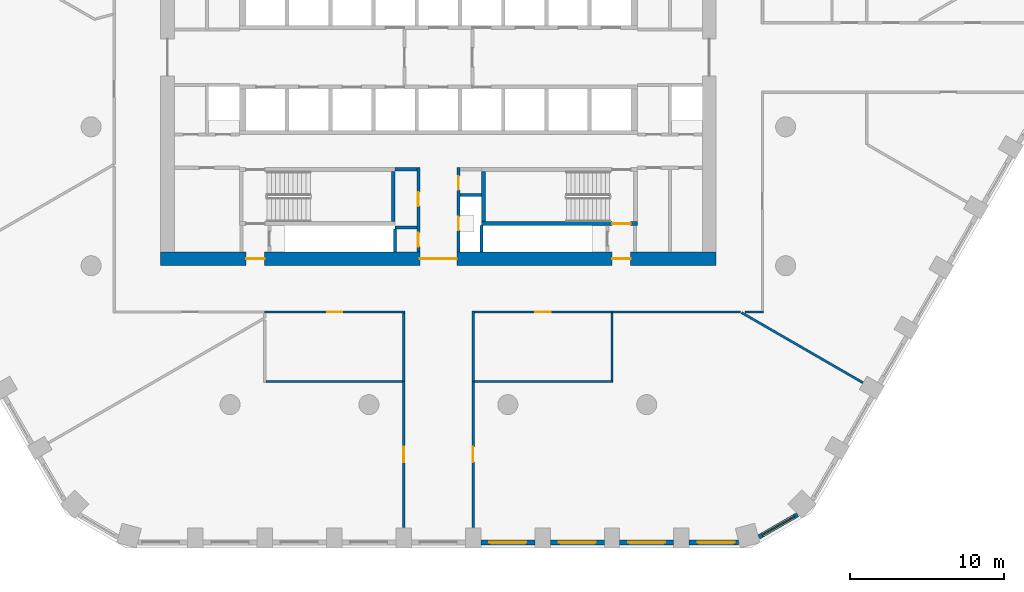
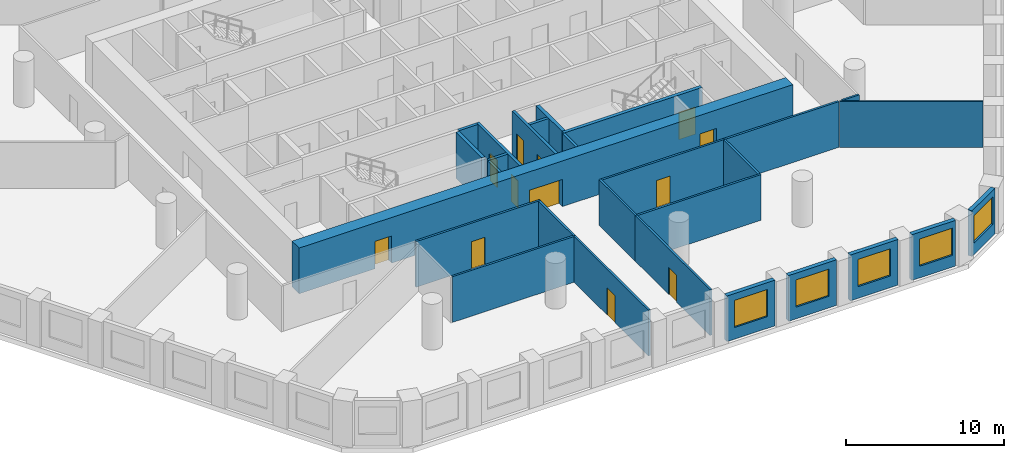
# One storey, part 3 of 10: 28 walls, 12 doors, 5 windows, 17 openings.
"""IFC4 building model written with IfcOpenShell, lengths in metres."""

from ifc_helpers import new_model, si_unit, direction, frame, frame_2d, origin, place, context, subcontext, project, spatial, rectangle, extrude, material, layer, layer_set, type_object, element, fill, save


model = new_model("IFC4")

# Units and contexts
model_context = context("Model", 3, precision=1e-05, world=origin(), true_north=direction((0.0, 1.0)))
body_context = subcontext(model_context, "Body", "Model", "MODEL_VIEW")
ifc_project = project(units=[si_unit("LENGTHUNIT", "METRE"), si_unit("AREAUNIT", "SQUARE_METRE"), si_unit("VOLUMEUNIT", "CUBIC_METRE"), si_unit("PLANEANGLEUNIT", "RADIAN"), si_unit("MASSUNIT", "GRAM", prefix="KILO")], contexts=[model_context])

# Site, building, storey
site_placement = place(None, origin())
site = spatial("IfcSite", under=ifc_project, at=site_placement, CompositionType="ELEMENT")
building_placement = place(site_placement, origin())
building = spatial("IfcBuilding", under=site, at=building_placement, Name="Dhurran Vertical Campus", CompositionType="ELEMENT")
storey_placement = place(building_placement, frame((0.0, 0.0, 85.199951171875)))
storey = spatial("IfcBuildingStorey", under=building, at=storey_placement, Name="L20", CompositionType="ELEMENT", Elevation=85.199951171875)

# Wall, opening, window
ifc_material_1 = material(Name="Precast concrete C50/60", Category="concrete")
ifc_layer_1 = layer(ifc_material_1, 0.300048828125)
ifc_layer_set_1 = layer_set([ifc_layer_1], Name="Precast concrete C50/60")
wall_type_1 = type_object("IfcWallType", Name="Precast spandrel wall 300", PredefinedType="SOLIDWALL", material=ifc_layer_set_1)
wall_1_placement = place(storey_placement, frame((2.75048828125, -31.4296875, 0.0), z_axis=(0.0, 0.0, 1.0), x_axis=(1.0, 0.0, 0.0)))
wall_1 = element("IfcWall", 1, at=wall_1_placement, inside=storey, type_object=wall_type_1, Name="EW1 L20.05", PredefinedType="SOLIDWALL", context=body_context, shape_type="SweptSolid", body=[
    extrude(rectangle(XDim=3.4990234375, YDim=0.300048828125, at=frame_2d((1.74951171875, 0.0))), origin(), (0.0, 0.0, 1.0), 3.525146484375),
])
opening_1_placement = place(wall_1_placement, frame((0.549560546875, 0.0, 0.89990234375)))
opening_1 = element("IfcOpeningElement", 2, at=opening_1_placement, cuts=wall_1, Name="Opening WT1", PredefinedType="OPENING", context=body_context, shape_type="SweptSolid", body=[
    extrude(rectangle(XDim=2.39990234375, YDim=2.10009765625, at=frame_2d((1.199951171875, 1.050048828125))), frame((0.0, 0.159912109375, 0.0), z_axis=(0.0, -1.0, 0.0), x_axis=(1.0, 0.0, 0.0)), (0.0, 0.0, 1.0), 0.320068359375),
])
ifc_material_2 = material(Name="Aluminium frame with solar-control glass", Category="aluminium")
window_type = type_object("IfcWindowType", Name="Punched window 2400 x 2100", PartitioningType="SINGLE_PANEL", PredefinedType="WINDOW", material=ifc_material_2)
window_1_placement = place(opening_1_placement, origin())
window_1 = element("IfcWindow", 3, at=window_1_placement, inside=storey, type_object=window_type, Name="WT1 L20.05", OverallHeight=2.10009765625, OverallWidth=2.39990234375, PartitioningType="SINGLE_PANEL", PredefinedType="WINDOW", context=body_context, shape_type="SweptSolid", body=[
    extrude(rectangle(XDim=2.39990234375, YDim=2.10009765625, at=frame_2d((1.199951171875, 1.050048828125))), frame((0.0, 0.030029296875, 0.0), z_axis=(0.0, -1.0, 0.0), x_axis=(1.0, 0.0, 0.0)), (0.0, 0.0, 1.0), 0.06005859375),
])
fill(opening_1, window_1)

wall_2_placement = place(storey_placement, frame((7.25048828125, -31.4296875, 0.0), z_axis=(0.0, 0.0, 1.0), x_axis=(1.0, 0.0, 0.0)))
wall_2 = element("IfcWall", 4, at=wall_2_placement, inside=storey, type_object=wall_type_1, Name="EW1 L20.06", PredefinedType="SOLIDWALL", context=body_context, shape_type="SweptSolid", body=[
    extrude(rectangle(XDim=3.4990234375, YDim=0.300048828125, at=frame_2d((1.74951171875, 0.0))), origin(), (0.0, 0.0, 1.0), 3.525146484375),
])
opening_2_placement = place(wall_2_placement, frame((0.549560546875, 0.0, 0.89990234375)))
opening_2 = element("IfcOpeningElement", 5, at=opening_2_placement, cuts=wall_2, Name="Opening WT1", PredefinedType="OPENING", context=body_context, shape_type="SweptSolid", body=[
    extrude(rectangle(XDim=2.39990234375, YDim=2.10009765625, at=frame_2d((1.199951171875, 1.050048828125))), frame((0.0, 0.159912109375, 0.0), z_axis=(0.0, -1.0, 0.0), x_axis=(1.0, 0.0, 0.0)), (0.0, 0.0, 1.0), 0.320068359375),
])
window_2_placement = place(opening_2_placement, origin())
window_2 = element("IfcWindow", 6, at=window_2_placement, inside=storey, type_object=window_type, Name="WT1 L20.06", OverallHeight=2.10009765625, OverallWidth=2.39990234375, PartitioningType="SINGLE_PANEL", PredefinedType="WINDOW", context=body_context, shape_type="SweptSolid", body=[
    extrude(rectangle(XDim=2.39990234375, YDim=2.10009765625, at=frame_2d((1.199951171875, 1.050048828125))), frame((0.0, 0.030029296875, 0.0), z_axis=(0.0, -1.0, 0.0), x_axis=(1.0, 0.0, 0.0)), (0.0, 0.0, 1.0), 0.06005859375),
])
fill(opening_2, window_2)

wall_3_placement = place(storey_placement, frame((11.75048828125, -31.4296875, 0.0), z_axis=(0.0, 0.0, 1.0), x_axis=(1.0, 0.0, 0.0)))
wall_3 = element("IfcWall", 7, at=wall_3_placement, inside=storey, type_object=wall_type_1, Name="EW1 L20.07", PredefinedType="SOLIDWALL", context=body_context, shape_type="SweptSolid", body=[
    extrude(rectangle(XDim=3.4990234375, YDim=0.300048828125, at=frame_2d((1.74951171875, 0.0))), origin(), (0.0, 0.0, 1.0), 3.525146484375),
])
opening_3_placement = place(wall_3_placement, frame((0.549560546875, 0.0, 0.89990234375)))
opening_3 = element("IfcOpeningElement", 8, at=opening_3_placement, cuts=wall_3, Name="Opening WT1", PredefinedType="OPENING", context=body_context, shape_type="SweptSolid", body=[
    extrude(rectangle(XDim=2.39990234375, YDim=2.10009765625, at=frame_2d((1.199951171875, 1.050048828125))), frame((0.0, 0.159912109375, 0.0), z_axis=(0.0, -1.0, 0.0), x_axis=(1.0, 0.0, 0.0)), (0.0, 0.0, 1.0), 0.320068359375),
])
window_3_placement = place(opening_3_placement, origin())
window_3 = element("IfcWindow", 9, at=window_3_placement, inside=storey, type_object=window_type, Name="WT1 L20.07", OverallHeight=2.10009765625, OverallWidth=2.39990234375, PartitioningType="SINGLE_PANEL", PredefinedType="WINDOW", context=body_context, shape_type="SweptSolid", body=[
    extrude(rectangle(XDim=2.39990234375, YDim=2.10009765625, at=frame_2d((1.199951171875, 1.050048828125))), frame((0.0, 0.030029296875, 0.0), z_axis=(0.0, -1.0, 0.0), x_axis=(1.0, 0.0, 0.0)), (0.0, 0.0, 1.0), 0.06005859375),
])
fill(opening_3, window_3)

wall_4_placement = place(storey_placement, frame((16.25048828125, -31.4296875, 0.0), z_axis=(0.0, 0.0, 1.0), x_axis=(1.0, 0.0, 0.0)))
wall_4 = element("IfcWall", 10, at=wall_4_placement, inside=storey, type_object=wall_type_1, Name="EW1 L20.08", PredefinedType="SOLIDWALL", context=body_context, shape_type="SweptSolid", body=[
    extrude(rectangle(XDim=3.1923828125, YDim=0.300048828125, at=frame_2d((1.59619140625, 0.0))), origin(), (0.0, 0.0, 1.0), 3.525146484375),
])
opening_4_placement = place(wall_4_placement, frame((0.549560546875, 0.0, 0.89990234375)))
opening_4 = element("IfcOpeningElement", 11, at=opening_4_placement, cuts=wall_4, Name="Opening WT1", PredefinedType="OPENING", context=body_context, shape_type="SweptSolid", body=[
    extrude(rectangle(XDim=2.39990234375, YDim=2.10009765625, at=frame_2d((1.199951171875, 1.050048828125))), frame((0.0, 0.159912109375, 0.0), z_axis=(0.0, -1.0, 0.0), x_axis=(1.0, 0.0, 0.0)), (0.0, 0.0, 1.0), 0.320068359375),
])
window_4_placement = place(opening_4_placement, origin())
window_4 = element("IfcWindow", 12, at=window_4_placement, inside=storey, type_object=window_type, Name="WT1 L20.08", OverallHeight=2.10009765625, OverallWidth=2.39990234375, PartitioningType="SINGLE_PANEL", PredefinedType="WINDOW", context=body_context, shape_type="SweptSolid", body=[
    extrude(rectangle(XDim=2.39990234375, YDim=2.10009765625, at=frame_2d((1.199951171875, 1.050048828125))), frame((0.0, 0.030029296875, 0.0), z_axis=(0.0, -1.0, 0.0), x_axis=(1.0, 0.0, 0.0)), (0.0, 0.0, 1.0), 0.06005859375),
])
fill(opening_4, window_4)

wall_5_placement = place(storey_placement, frame((20.774169921875, -31.072998046875, 0.0), z_axis=(0.0, 0.0, 1.0), x_axis=(0.866053149362, 0.49995194017, 0.0)))
wall_5 = element("IfcWall", 13, at=wall_5_placement, inside=storey, type_object=wall_type_1, Name="EW1 L20.09", PredefinedType="SOLIDWALL", context=body_context, shape_type="SweptSolid", body=[
    extrude(rectangle(XDim=2.885498046875, YDim=0.300048828125, at=frame_2d((1.44287109375, 0.0))), origin(), (0.0, 0.0, 1.0), 3.525146484375),
])
opening_5_placement = place(wall_5_placement, frame((0.242919921875, 0.0, 0.89990234375)))
opening_5 = element("IfcOpeningElement", 14, at=opening_5_placement, cuts=wall_5, Name="Opening WT1", PredefinedType="OPENING", context=body_context, shape_type="SweptSolid", body=[
    extrude(rectangle(XDim=2.39990234375, YDim=2.10009765625, at=frame_2d((1.199951171875, 1.050048828125))), frame((0.0, 0.159912109375, 0.0), z_axis=(0.0, -1.0, 0.0), x_axis=(1.0, 0.0, 0.0)), (0.0, 0.0, 1.0), 0.320068359375),
])
window_5_placement = place(opening_5_placement, origin())
window_5 = element("IfcWindow", 15, at=window_5_placement, inside=storey, type_object=window_type, Name="WT1 L20.09", OverallHeight=2.10009765625, OverallWidth=2.39990234375, PartitioningType="SINGLE_PANEL", PredefinedType="WINDOW", context=body_context, shape_type="SweptSolid", body=[
    extrude(rectangle(XDim=2.39990234375, YDim=2.10009765625, at=frame_2d((1.199951171875, 1.050048828125))), frame((0.0, 0.030029296875, 0.0), z_axis=(0.0, -1.0, 0.0), x_axis=(1.0, 0.0, 0.0)), (0.0, 0.0, 1.0), 0.06005859375),
])
fill(opening_5, window_5)

# Wall, openings, doors
ifc_material_3 = material(Name="Concrete C60/75", Category="concrete")
ifc_layer_2 = layer(ifc_material_3, 0.89990234375)
ifc_layer_set_2 = layer_set([ifc_layer_2], Name="Concrete C60/75")
wall_type_2 = type_object("IfcWallType", Name="co-CORE-WALL-C0-900", PredefinedType="SHEAR", material=ifc_layer_set_2)
wall_6_placement = place(storey_placement, frame((-18.0, -13.050048828125, 0.0), z_axis=(0.0, 0.0, 1.0), x_axis=(1.0, 0.0, 0.0)))
wall_6 = element("IfcWall", 16, at=wall_6_placement, inside=storey, type_object=wall_type_2, Name="Core wall S L20", PredefinedType="SHEAR", context=body_context, shape_type="SweptSolid", body=[
    extrude(rectangle(XDim=36.0, YDim=0.89990234375, at=frame_2d((18.0, 0.0))), origin(), (0.0, 0.0, 1.0), 3.525146484375),
])
opening_6_placement = place(wall_6_placement, frame((16.800048828125, 0.0, 0.0)))
opening_6 = element("IfcOpeningElement", 17, at=opening_6_placement, cuts=wall_6, Name="Opening CV2", PredefinedType="OPENING", context=body_context, shape_type="SweptSolid", body=[
    extrude(rectangle(XDim=2.39990234375, YDim=2.10009765625, at=frame_2d((1.199951171875, 1.050048828125))), frame((0.0, 0.4599609375, 0.0), z_axis=(0.0, -1.0, 0.0), x_axis=(1.0, 0.0, 0.0)), (0.0, 0.0, 1.0), 0.919921875),
])
opening_7_placement = place(wall_6_placement, frame((5.550048828125, 0.0, 0.0)))
opening_7 = element("IfcOpeningElement", 18, at=opening_7_placement, cuts=wall_6, Name="Opening XD3", PredefinedType="OPENING", context=body_context, shape_type="SweptSolid", body=[
    extrude(rectangle(XDim=1.199951171875, YDim=2.10009765625, at=frame_2d((0.60009765625, 1.050048828125))), frame((0.0, 0.4599609375, 0.0), z_axis=(0.0, -1.0, 0.0), x_axis=(1.0, 0.0, 0.0)), (0.0, 0.0, 1.0), 0.919921875),
])
opening_8_placement = place(wall_6_placement, frame((29.25, 0.0, 0.0)))
opening_8 = element("IfcOpeningElement", 19, at=opening_8_placement, cuts=wall_6, Name="Opening XD4", PredefinedType="OPENING", context=body_context, shape_type="SweptSolid", body=[
    extrude(rectangle(XDim=1.199951171875, YDim=2.10009765625, at=frame_2d((0.60009765625, 1.050048828125))), frame((0.0, 0.4599609375, 0.0), z_axis=(0.0, -1.0, 0.0), x_axis=(1.0, 0.0, 0.0)), (0.0, 0.0, 1.0), 0.919921875),
])
ifc_material_4 = material(Name="Fire-rated glazed door set")
door_type_1 = type_object("IfcDoorType", Name="co-D-LOBBY 2400x2100", OperationType="DOUBLE_DOOR_DOUBLE_SWING", PredefinedType="DOOR", material=ifc_material_4)
door_1_placement = place(opening_6_placement, origin())
door_1 = element("IfcDoor", 20, at=door_1_placement, inside=storey, type_object=door_type_1, Name="Core vestibule door S L20", OperationType="DOUBLE_DOOR_DOUBLE_SWING", OverallHeight=2.10009765625, OverallWidth=2.39990234375, PredefinedType="DOOR", context=body_context, shape_type="SweptSolid", body=[
    extrude(rectangle(XDim=2.39990234375, YDim=2.10009765625, at=frame_2d((1.199951171875, 1.050048828125))), frame((0.0, 0.02490234375, 0.0), z_axis=(0.0, -1.0, 0.0), x_axis=(1.0, 0.0, 0.0)), (0.0, 0.0, 1.0), 0.050048828125),
])
fill(opening_6, door_1)
ifc_material_5 = material(Name="Fire-rated steel door set", Category="steel")
door_type_2 = type_object("IfcDoorType", Name="co-D-STAIR-EXIT 1200x2100", OperationType="SINGLE_SWING_RIGHT", PredefinedType="DOOR", material=ifc_material_5)
door_2_placement = place(opening_7_placement, origin())
door_2 = element("IfcDoor", 21, at=door_2_placement, inside=storey, type_object=door_type_2, Name="Stair ST3 exit door L20", OperationType="SINGLE_SWING_RIGHT", OverallHeight=2.10009765625, OverallWidth=1.199951171875, PredefinedType="DOOR", context=body_context, shape_type="SweptSolid", body=[
    extrude(rectangle(XDim=1.199951171875, YDim=2.10009765625, at=frame_2d((0.60009765625, 1.050048828125))), frame((0.0, 0.02490234375, 0.0), z_axis=(0.0, -1.0, 0.0), x_axis=(1.0, 0.0, 0.0)), (0.0, 0.0, 1.0), 0.050048828125),
])
fill(opening_7, door_2)
door_3_placement = place(opening_8_placement, origin())
door_3 = element("IfcDoor", 22, at=door_3_placement, inside=storey, type_object=door_type_2, Name="Stair ST4 exit door L20", OperationType="SINGLE_SWING_RIGHT", OverallHeight=2.10009765625, OverallWidth=1.199951171875, PredefinedType="DOOR", context=body_context, shape_type="SweptSolid", body=[
    extrude(rectangle(XDim=1.199951171875, YDim=2.10009765625, at=frame_2d((0.60009765625, 1.050048828125))), frame((0.0, 0.02490234375, 0.0), z_axis=(0.0, -1.0, 0.0), x_axis=(1.0, 0.0, 0.0)), (0.0, 0.0, 1.0), 0.050048828125),
])
fill(opening_8, door_3)

# Walls
ifc_material_6 = material(Name="Fire-rated masonry blockwork", Category="masonry")
ifc_layer_3 = layer(ifc_material_6, 0.199951171875)
ifc_layer_set_3 = layer_set([ifc_layer_3], Name="Fire-rated masonry blockwork")
wall_type_3 = type_object("IfcWallType", Name="co-FIRE-PARTITION-200", PredefinedType="PARTITIONING", material=ifc_layer_set_3)
for number, where, z_axis, x_axis, name in (
    (23, (-2.800048828125, -7.25, 0.0), (0.0, 0.0, 1.0), (1.0, 0.0, 0.0), "Core partition sl-SW-S L20"),
    (24, (-2.800048828125, -11.02490234375, 0.0), (0.0, 0.0, 1.0), (1.0, 0.0, 0.0), "Core partition sl-SW-cut0 L20"),
    (25, (1.39990234375, -8.925048828125, 0.0), (0.0, 0.0, 1.0), (1.0, 0.0, 0.0), "Core partition sl-SE-cut0 L20"),
):
    element("IfcWall", number, at=place(storey_placement, frame(where, z_axis=z_axis, x_axis=x_axis)), inside=storey, type_object=wall_type_3, Name=name, PredefinedType="PARTITIONING", context=body_context, shape_type="SweptSolid", body=[
        extrude(rectangle(XDim=1.400146484375, YDim=0.199951171875, at=frame_2d((0.7001953125, 0.0))), origin(), (0.0, 0.0, 1.0), 3.525146484375),
    ])

# Wall, openings, doors
wall_7_placement = place(storey_placement, frame((-1.300048828125, -12.60009765625, 0.0), z_axis=(0.0, 0.0, 1.0), x_axis=(0.0, 1.0, 0.0)))
wall_7 = element("IfcWall", 26, at=wall_7_placement, inside=storey, type_object=wall_type_3, Name="Core partition vest-SW L20", PredefinedType="PARTITIONING", context=body_context, shape_type="SweptSolid", body=[
    extrude(rectangle(XDim=5.4501953125, YDim=0.199951171875, at=frame_2d((2.72509765625, 0.0))), origin(), (0.0, 0.0, 1.0), 3.525146484375),
])
opening_9_placement = place(wall_7_placement, frame((0.33740234375, 0.0, 0.0)))
opening_9 = element("IfcOpeningElement", 27, at=opening_9_placement, cuts=wall_7, Name="Opening T05-C1", PredefinedType="OPENING", context=body_context, shape_type="SweptSolid", body=[
    extrude(rectangle(XDim=0.89990234375, YDim=2.10009765625, at=frame_2d((0.449951171875, 1.050048828125))), frame((0.0, 0.10986328125, 0.0), z_axis=(0.0, -1.0, 0.0), x_axis=(1.0, 0.0, 0.0)), (0.0, 0.0, 1.0), 0.219970703125),
])
opening_10_placement = place(wall_7_placement, frame((2.96240234375, 0.0, 0.0)))
opening_10 = element("IfcOpeningElement", 28, at=opening_10_placement, cuts=wall_7, Name="Opening T05-C2", PredefinedType="OPENING", context=body_context, shape_type="SweptSolid", body=[
    extrude(rectangle(XDim=0.89990234375, YDim=2.10009765625, at=frame_2d((0.449951171875, 1.050048828125))), frame((0.0, 0.10986328125, 0.0), z_axis=(0.0, -1.0, 0.0), x_axis=(1.0, 0.0, 0.0)), (0.0, 0.0, 1.0), 0.219970703125),
])
ifc_material_7 = material(Name="Fire-rated timber door set", Category="wood")
door_type_3 = type_object("IfcDoorType", Name="co-D-ROOM 900x2100", OperationType="SINGLE_SWING_LEFT", PredefinedType="DOOR", material=ifc_material_7)
door_4_placement = place(opening_9_placement, origin())
door_4 = element("IfcDoor", 29, at=door_4_placement, inside=storey, type_object=door_type_3, Name="Fire equipment store door L20", OperationType="SINGLE_SWING_LEFT", OverallHeight=2.10009765625, OverallWidth=0.89990234375, PredefinedType="DOOR", context=body_context, shape_type="SweptSolid", body=[
    extrude(rectangle(XDim=0.89990234375, YDim=2.10009765625, at=frame_2d((0.449951171875, 1.050048828125))), frame((0.0, 0.02490234375, 0.0), z_axis=(0.0, -1.0, 0.0), x_axis=(1.0, 0.0, 0.0)), (0.0, 0.0, 1.0), 0.050048828125),
])
fill(opening_9, door_4)
door_5_placement = place(opening_10_placement, origin())
door_5 = element("IfcDoor", 30, at=door_5_placement, inside=storey, type_object=door_type_3, Name="Server room door L20", OperationType="SINGLE_SWING_LEFT", OverallHeight=2.10009765625, OverallWidth=0.89990234375, PredefinedType="DOOR", context=body_context, shape_type="SweptSolid", body=[
    extrude(rectangle(XDim=0.89990234375, YDim=2.10009765625, at=frame_2d((0.449951171875, 1.050048828125))), frame((0.0, 0.02490234375, 0.0), z_axis=(0.0, -1.0, 0.0), x_axis=(1.0, 0.0, 0.0)), (0.0, 0.0, 1.0), 0.050048828125),
])
fill(opening_10, door_5)

wall_8_placement = place(storey_placement, frame((1.300048828125, -12.60009765625, 0.0), z_axis=(0.0, 0.0, 1.0), x_axis=(0.0, 1.0, 0.0)))
wall_8 = element("IfcWall", 31, at=wall_8_placement, inside=storey, type_object=wall_type_3, Name="Core partition vest-SE L20", PredefinedType="PARTITIONING", context=body_context, shape_type="SweptSolid", body=[
    extrude(rectangle(XDim=5.4501953125, YDim=0.199951171875, at=frame_2d((2.72509765625, 0.0))), origin(), (0.0, 0.0, 1.0), 3.525146484375),
])
opening_11_placement = place(wall_8_placement, frame((1.387451171875, 0.0, 0.0)))
opening_11 = element("IfcOpeningElement", 32, at=opening_11_placement, cuts=wall_8, Name="Opening T05-C3", PredefinedType="OPENING", context=body_context, shape_type="SweptSolid", body=[
    extrude(rectangle(XDim=0.89990234375, YDim=2.10009765625, at=frame_2d((0.449951171875, 1.050048828125))), frame((0.0, 0.10986328125, 0.0), z_axis=(0.0, -1.0, 0.0), x_axis=(1.0, 0.0, 0.0)), (0.0, 0.0, 1.0), 0.219970703125),
])
opening_12_placement = place(wall_8_placement, frame((4.012451171875, 0.0, 0.0)))
opening_12 = element("IfcOpeningElement", 33, at=opening_12_placement, cuts=wall_8, Name="Opening T05-C4", PredefinedType="OPENING", context=body_context, shape_type="SweptSolid", body=[
    extrude(rectangle(XDim=0.89990234375, YDim=2.10009765625, at=frame_2d((0.449951171875, 1.050048828125))), frame((0.0, 0.10986328125, 0.0), z_axis=(0.0, -1.0, 0.0), x_axis=(1.0, 0.0, 0.0)), (0.0, 0.0, 1.0), 0.219970703125),
])
door_6_placement = place(opening_11_placement, origin())
door_6 = element("IfcDoor", 34, at=door_6_placement, inside=storey, type_object=door_type_3, Name="Water riser door L20", OperationType="SINGLE_SWING_LEFT", OverallHeight=2.10009765625, OverallWidth=0.89990234375, PredefinedType="DOOR", context=body_context, shape_type="SweptSolid", body=[
    extrude(rectangle(XDim=0.89990234375, YDim=2.10009765625, at=frame_2d((0.449951171875, 1.050048828125))), frame((0.0, 0.02490234375, 0.0), z_axis=(0.0, -1.0, 0.0), x_axis=(1.0, 0.0, 0.0)), (0.0, 0.0, 1.0), 0.050048828125),
])
fill(opening_11, door_6)
door_7_placement = place(opening_12_placement, origin())
door_7 = element("IfcDoor", 35, at=door_7_placement, inside=storey, type_object=door_type_3, Name="Communications room door L20", OperationType="SINGLE_SWING_LEFT", OverallHeight=2.10009765625, OverallWidth=0.89990234375, PredefinedType="DOOR", context=body_context, shape_type="SweptSolid", body=[
    extrude(rectangle(XDim=0.89990234375, YDim=2.10009765625, at=frame_2d((0.449951171875, 1.050048828125))), frame((0.0, 0.02490234375, 0.0), z_axis=(0.0, -1.0, 0.0), x_axis=(1.0, 0.0, 0.0)), (0.0, 0.0, 1.0), 0.050048828125),
])
fill(opening_12, door_7)

# Walls
wall_9_placement = place(storey_placement, frame((-2.800048828125, -12.59912109375, 0.0), z_axis=(0.0, 0.0, 1.0), x_axis=(0.0, 1.0, 0.0)))
element("IfcWall", 36, at=wall_9_placement, inside=storey, type_object=wall_type_3, Name="Riser enclosure wall L20", PredefinedType="PARTITIONING", context=body_context, shape_type="SweptSolid", body=[
    extrude(rectangle(XDim=1.47314453125, YDim=0.199951171875, at=frame_2d((0.736572265625, 0.0))), origin(), (0.0, 0.0, 1.0), 3.525146484375),
])
wall_10_placement = place(storey_placement, frame((2.800048828125, -12.59912109375, 0.0), z_axis=(0.0, 0.0, 1.0), x_axis=(0.0, 1.0, 0.0)))
element("IfcWall", 37, at=wall_10_placement, inside=storey, type_object=wall_type_3, Name="Riser enclosure wall L20", PredefinedType="PARTITIONING", context=body_context, shape_type="SweptSolid", body=[
    extrude(rectangle(XDim=1.6982421875, YDim=0.199951171875, at=frame_2d((0.84912109375, 0.0))), origin(), (0.0, 0.0, 1.0), 3.525146484375),
])
ifc_material_8 = material(Name="Concrete C40/50", Category="concrete")
ifc_layer_4 = layer(ifc_material_8, 0.25)
ifc_layer_set_4 = layer_set([ifc_layer_4], Name="Concrete C40/50")
wall_type_4 = type_object("IfcWallType", Name="co-STAIR-WALL-250", PredefinedType="SHEAR", material=ifc_layer_set_4)
wall_11_placement = place(storey_placement, frame((-2.925048828125, -10.64990234375, 0.0), z_axis=(0.0, 0.0, 1.0), x_axis=(0.0, 1.0, 0.0)))
element("IfcWall", 38, at=wall_11_placement, inside=storey, type_object=wall_type_4, Name="Stair ST3 enclosure wall L20", PredefinedType="SHEAR", context=body_context, shape_type="SweptSolid", body=[
    extrude(rectangle(XDim=3.25, YDim=0.25, at=frame_2d((1.625, 0.0))), origin(), (0.0, 0.0, 1.0), 3.525146484375),
])

# Wall, opening, door
wall_12_placement = place(storey_placement, frame((2.800048828125, -10.77490234375, 0.0), z_axis=(0.0, 0.0, 1.0), x_axis=(1.0, 0.0, 0.0)))
wall_12 = element("IfcWall", 39, at=wall_12_placement, inside=storey, type_object=wall_type_4, Name="Stair ST4 enclosure wall L20", PredefinedType="SHEAR", context=body_context, shape_type="SweptSolid", body=[
    extrude(rectangle(XDim=10.099853515625, YDim=0.25, at=frame_2d((5.0498046875, 0.0))), origin(), (0.0, 0.0, 1.0), 3.525146484375),
])
opening_13_placement = place(wall_12_placement, frame((8.449951171875, 0.0, 0.0)))
opening_13 = element("IfcOpeningElement", 40, at=opening_13_placement, cuts=wall_12, Name="Opening XS4", PredefinedType="OPENING", context=body_context, shape_type="SweptSolid", body=[
    extrude(rectangle(XDim=1.199951171875, YDim=2.10009765625, at=frame_2d((0.60009765625, 1.050048828125))), frame((0.0, 0.135009765625, 0.0), z_axis=(0.0, -1.0, 0.0), x_axis=(1.0, 0.0, 0.0)), (0.0, 0.0, 1.0), 0.27001953125),
])
door_8_placement = place(opening_13_placement, origin())
door_8 = element("IfcDoor", 41, at=door_8_placement, inside=storey, type_object=door_type_2, Name="Stair ST4 discharge door L20", OperationType="SINGLE_SWING_RIGHT", OverallHeight=2.10009765625, OverallWidth=1.199951171875, PredefinedType="DOOR", context=body_context, shape_type="SweptSolid", body=[
    extrude(rectangle(XDim=1.199951171875, YDim=2.10009765625, at=frame_2d((0.60009765625, 1.050048828125))), frame((0.0, 0.02490234375, 0.0), z_axis=(0.0, -1.0, 0.0), x_axis=(1.0, 0.0, 0.0)), (0.0, 0.0, 1.0), 0.050048828125),
])
fill(opening_13, door_8)

# Wall
wall_13_placement = place(storey_placement, frame((2.925048828125, -10.64990234375, 0.0), z_axis=(0.0, 0.0, 1.0), x_axis=(0.0, 1.0, 0.0)))
element("IfcWall", 42, at=wall_13_placement, inside=storey, type_object=wall_type_4, Name="Stair ST4 enclosure wall L20", PredefinedType="SHEAR", context=body_context, shape_type="SweptSolid", body=[
    extrude(rectangle(XDim=3.25, YDim=0.25, at=frame_2d((1.625, 0.0))), origin(), (0.0, 0.0, 1.0), 3.525146484375),
])

# Wall, opening, door
ifc_material_9 = material(Name="Gypsum board corridor wall on steel studs", Category="steel")
ifc_layer_5 = layer(ifc_material_9, 0.14990234375)
ifc_layer_set_5 = layer_set([ifc_layer_5], Name="Gypsum board corridor wall on steel studs")
wall_type_5 = type_object("IfcWallType", Name="fl-CW-150 corridor wall", PredefinedType="PARTITIONING", material=ifc_layer_set_5)
wall_14_placement = place(storey_placement, frame((-11.25, -16.5, 0.0), z_axis=(0.0, 0.0, 1.0), x_axis=(1.0, 0.0, 0.0)))
wall_14 = element("IfcWall", 43, at=wall_14_placement, inside=storey, type_object=wall_type_5, Name="Partition 20-14", PredefinedType="PARTITIONING", context=body_context, shape_type="SweptSolid", body=[
    extrude(rectangle(XDim=9.074951171875, YDim=0.14990234375, at=frame_2d((4.53759765625, 0.0))), origin(), (0.0, 0.0, 1.0), 3.525146484375),
])
opening_14_placement = place(wall_14_placement, frame((4.03759765625, 0.0, 0.0)))
opening_14 = element("IfcOpeningElement", 44, at=opening_14_placement, cuts=wall_14, Name="Opening T05.06", PredefinedType="OPENING", context=body_context, shape_type="SweptSolid", body=[
    extrude(rectangle(XDim=1.0, YDim=2.10009765625, at=frame_2d((0.5, 1.050048828125))), frame((0.0, 0.0849609375, 0.0), z_axis=(0.0, -1.0, 0.0), x_axis=(1.0, 0.0, 0.0)), (0.0, 0.0, 1.0), 0.169921875),
])
ifc_material_10 = material(Name="Solid-core timber door set, fire-rated", Category="wood")
door_type_4 = type_object("IfcDoorType", Name="fl-D-1000x2100", OperationType="SINGLE_SWING_LEFT", PredefinedType="DOOR", material=ifc_material_10)
door_9_placement = place(opening_14_placement, origin())
door_9 = element("IfcDoor", 45, at=door_9_placement, inside=storey, type_object=door_type_4, Name="Door 20.06", OperationType="SINGLE_SWING_RIGHT", OverallHeight=2.10009765625, OverallWidth=1.0, PredefinedType="DOOR", context=body_context, shape_type="SweptSolid", body=[
    extrude(rectangle(XDim=1.0, YDim=2.10009765625, at=frame_2d((0.5, 1.050048828125))), frame((0.0, 0.02490234375, 0.0), z_axis=(0.0, -1.0, 0.0), x_axis=(1.0, 0.0, 0.0)), (0.0, 0.0, 1.0), 0.050048828125),
])
fill(opening_14, door_9)

wall_15_placement = place(storey_placement, frame((-2.25, -30.459716796875, 0.0), z_axis=(0.0, 0.0, 1.0), x_axis=(0.0, 1.0, 0.0)))
wall_15 = element("IfcWall", 46, at=wall_15_placement, inside=storey, type_object=wall_type_5, Name="Partition 20-19", PredefinedType="PARTITIONING", context=body_context, shape_type="SweptSolid", body=[
    extrude(rectangle(XDim=9.459716796875, YDim=0.14990234375, at=frame_2d((4.72998046875, 0.0))), origin(), (0.0, 0.0, 1.0), 3.525146484375),
])
opening_15_placement = place(wall_15_placement, frame((4.22998046875, 0.0, 0.0)))
opening_15 = element("IfcOpeningElement", 47, at=opening_15_placement, cuts=wall_15, Name="Opening T05.04", PredefinedType="OPENING", context=body_context, shape_type="SweptSolid", body=[
    extrude(rectangle(XDim=1.0, YDim=2.10009765625, at=frame_2d((0.5, 1.050048828125))), frame((0.0, 0.0849609375, 0.0), z_axis=(0.0, -1.0, 0.0), x_axis=(1.0, 0.0, 0.0)), (0.0, 0.0, 1.0), 0.169921875),
])
door_10_placement = place(opening_15_placement, origin())
door_10 = element("IfcDoor", 48, at=door_10_placement, inside=storey, type_object=door_type_4, Name="Door 20.04", OperationType="SINGLE_SWING_RIGHT", OverallHeight=2.10009765625, OverallWidth=1.0, PredefinedType="DOOR", context=body_context, shape_type="SweptSolid", body=[
    extrude(rectangle(XDim=1.0, YDim=2.10009765625, at=frame_2d((0.5, 1.050048828125))), frame((0.0, 0.02490234375, 0.0), z_axis=(0.0, -1.0, 0.0), x_axis=(1.0, 0.0, 0.0)), (0.0, 0.0, 1.0), 0.050048828125),
])
fill(opening_15, door_10)

# Wall
wall_16_placement = place(storey_placement, frame((-2.25, -21.0, 0.0), z_axis=(0.0, 0.0, 1.0), x_axis=(0.0, 1.0, 0.0)))
element("IfcWall", 49, at=wall_16_placement, inside=storey, type_object=wall_type_5, Name="Partition 20-20", PredefinedType="PARTITIONING", context=body_context, shape_type="SweptSolid", body=[
    extrude(rectangle(XDim=4.425048828125, YDim=0.14990234375, at=frame_2d((2.21240234375, 0.0))), origin(), (0.0, 0.0, 1.0), 3.525146484375),
])

# Wall, opening, door
wall_17_placement = place(storey_placement, frame((2.25, -21.0, 0.0), z_axis=(0.0, 0.0, 1.0), x_axis=(0.0, -1.0, 0.0)))
wall_17 = element("IfcWall", 50, at=wall_17_placement, inside=storey, type_object=wall_type_5, Name="Partition 20-23", PredefinedType="PARTITIONING", context=body_context, shape_type="SweptSolid", body=[
    extrude(rectangle(XDim=9.459716796875, YDim=0.14990234375, at=frame_2d((4.72998046875, 0.0))), origin(), (0.0, 0.0, 1.0), 3.525146484375),
])
opening_16_placement = place(wall_17_placement, frame((4.22998046875, 0.0, 0.0)))
opening_16 = element("IfcOpeningElement", 51, at=opening_16_placement, cuts=wall_17, Name="Opening T05.10", PredefinedType="OPENING", context=body_context, shape_type="SweptSolid", body=[
    extrude(rectangle(XDim=1.0, YDim=2.10009765625, at=frame_2d((0.5, 1.050048828125))), frame((0.0, 0.0849609375, 0.0), z_axis=(0.0, -1.0, 0.0), x_axis=(1.0, 0.0, 0.0)), (0.0, 0.0, 1.0), 0.169921875),
])
door_11_placement = place(opening_16_placement, origin())
door_11 = element("IfcDoor", 52, at=door_11_placement, inside=storey, type_object=door_type_4, Name="Door 20.10", OperationType="SINGLE_SWING_LEFT", OverallHeight=2.10009765625, OverallWidth=1.0, PredefinedType="DOOR", context=body_context, shape_type="SweptSolid", body=[
    extrude(rectangle(XDim=1.0, YDim=2.10009765625, at=frame_2d((0.5, 1.050048828125))), frame((0.0, 0.02490234375, 0.0), z_axis=(0.0, -1.0, 0.0), x_axis=(1.0, 0.0, 0.0)), (0.0, 0.0, 1.0), 0.050048828125),
])
fill(opening_16, door_11)

# Wall
wall_18_placement = place(storey_placement, frame((2.25, -16.425048828125, 0.0), z_axis=(0.0, 0.0, 1.0), x_axis=(0.0, -1.0, 0.0)))
element("IfcWall", 53, at=wall_18_placement, inside=storey, type_object=wall_type_5, Name="Partition 20-24", PredefinedType="PARTITIONING", context=body_context, shape_type="SweptSolid", body=[
    extrude(rectangle(XDim=4.574951171875, YDim=0.14990234375, at=frame_2d((2.28759765625, 0.0))), origin(), (0.0, 0.0, 1.0), 3.525146484375),
])

# Wall, opening, door
wall_19_placement = place(storey_placement, frame((2.324951171875, -16.5, 0.0), z_axis=(0.0, 0.0, 1.0), x_axis=(1.0, 0.0, 0.0)))
wall_19 = element("IfcWall", 54, at=wall_19_placement, inside=storey, type_object=wall_type_5, Name="Partition 20-26", PredefinedType="PARTITIONING", context=body_context, shape_type="SweptSolid", body=[
    extrude(rectangle(XDim=8.925048828125, YDim=0.14990234375, at=frame_2d((4.46240234375, 0.0))), origin(), (0.0, 0.0, 1.0), 3.525146484375),
])
opening_17_placement = place(wall_19_placement, frame((3.96240234375, 0.0, 0.0)))
opening_17 = element("IfcOpeningElement", 55, at=opening_17_placement, cuts=wall_19, Name="Opening T05.08", PredefinedType="OPENING", context=body_context, shape_type="SweptSolid", body=[
    extrude(rectangle(XDim=1.0, YDim=2.10009765625, at=frame_2d((0.5, 1.050048828125))), frame((0.0, 0.0849609375, 0.0), z_axis=(0.0, -1.0, 0.0), x_axis=(1.0, 0.0, 0.0)), (0.0, 0.0, 1.0), 0.169921875),
])
door_12_placement = place(opening_17_placement, origin())
door_12 = element("IfcDoor", 56, at=door_12_placement, inside=storey, type_object=door_type_4, Name="Door 20.08", OperationType="SINGLE_SWING_LEFT", OverallHeight=2.10009765625, OverallWidth=1.0, PredefinedType="DOOR", context=body_context, shape_type="SweptSolid", body=[
    extrude(rectangle(XDim=1.0, YDim=2.10009765625, at=frame_2d((0.5, 1.050048828125))), frame((0.0, 0.02490234375, 0.0), z_axis=(0.0, -1.0, 0.0), x_axis=(1.0, 0.0, 0.0)), (0.0, 0.0, 1.0), 0.050048828125),
])
fill(opening_17, door_12)

# Walls
wall_20_placement = place(storey_placement, frame((11.25, -16.5, 0.0), z_axis=(0.0, 0.0, 1.0), x_axis=(1.0, 0.0, 0.0)))
element("IfcWall", 57, at=wall_20_placement, inside=storey, type_object=wall_type_5, Name="Partition 20-32", PredefinedType="PARTITIONING", context=body_context, shape_type="SweptSolid", body=[
    extrude(rectangle(XDim=8.3291015625, YDim=0.14990234375, at=frame_2d((4.16455078125, 0.0))), origin(), (0.0, 0.0, 1.0), 3.525146484375),
])
wall_21_placement = place(storey_placement, frame((19.85400390625, -16.5, 0.0), z_axis=(0.0, 0.0, 1.0), x_axis=(1.0, 0.0, 0.0)))
element("IfcWall", 58, at=wall_21_placement, inside=storey, type_object=wall_type_5, Name="Partition 20-35", PredefinedType="PARTITIONING", context=body_context, shape_type="SweptSolid", body=[
    extrude(rectangle(XDim=1.220947265625, YDim=0.14990234375, at=frame_2d((0.6103515625, 0.0))), origin(), (0.0, 0.0, 1.0), 3.525146484375),
])
ifc_material_11 = material(Name="Gypsum board partition on steel studs", Category="steel")
ifc_layer_6 = layer(ifc_material_11, 0.14990234375)
ifc_layer_set_6 = layer_set([ifc_layer_6], Name="Gypsum board partition on steel studs")
wall_type_6 = type_object("IfcWallType", Name="fl-PW-150 fixed partition", PredefinedType="PARTITIONING", material=ifc_layer_set_6)
wall_22_placement = place(storey_placement, frame((-11.175048828125, -21.0, 0.0), z_axis=(0.0, 0.0, 1.0), x_axis=(1.0, 0.0, 0.0)))
element("IfcWall", 59, at=wall_22_placement, inside=storey, type_object=wall_type_6, Name="Partition 20-12", PredefinedType="PARTITIONING", context=body_context, shape_type="SweptSolid", body=[
    extrude(rectangle(XDim=8.85009765625, YDim=0.14990234375, at=frame_2d((4.425048828125, 0.0))), origin(), (0.0, 0.0, 1.0), 3.525146484375),
])
wall_23_placement = place(storey_placement, frame((11.324951171875, -21.0, 0.0), z_axis=(0.0, 0.0, 1.0), x_axis=(-1.0, 0.0, 0.0)))
element("IfcWall", 60, at=wall_23_placement, inside=storey, type_object=wall_type_6, Name="Partition 20-25", PredefinedType="PARTITIONING", context=body_context, shape_type="SweptSolid", body=[
    extrude(rectangle(XDim=9.0, YDim=0.14990234375, at=frame_2d((4.5, 0.0))), origin(), (0.0, 0.0, 1.0), 3.525146484375),
])
wall_24_placement = place(storey_placement, frame((11.25, -16.574951171875, 0.0), z_axis=(0.0, 0.0, 1.0), x_axis=(0.0, -1.0, 0.0)))
element("IfcWall", 61, at=wall_24_placement, inside=storey, type_object=wall_type_6, Name="Partition 20-31", PredefinedType="PARTITIONING", context=body_context, shape_type="SweptSolid", body=[
    extrude(rectangle(XDim=4.35009765625, YDim=0.14990234375, at=frame_2d((2.175048828125, 0.0))), origin(), (0.0, 0.0, 1.0), 3.525146484375),
])
wall_25_placement = place(storey_placement, frame((19.643798828125, -16.53759765625, 0.0), z_axis=(0.0, 0.0, 1.0), x_axis=(0.866004606565, -0.500036020111, 0.0)))
element("IfcWall", 62, at=wall_25_placement, inside=storey, type_object=wall_type_6, Name="Partition 20-36", PredefinedType="PARTITIONING", context=body_context, shape_type="SweptSolid", body=[
    extrude(rectangle(XDim=9.075927734375, YDim=0.14990234375, at=frame_2d((4.5380859375, 0.0))), origin(), (0.0, 0.0, 1.0), 3.525146484375),
])

save(model, "model.ifc")
